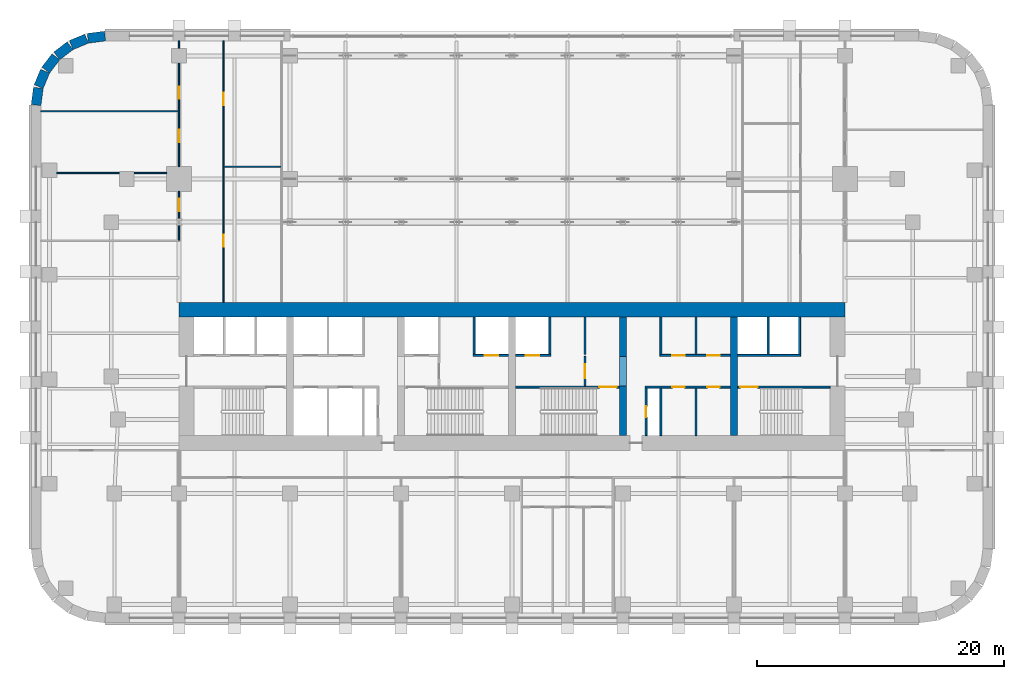
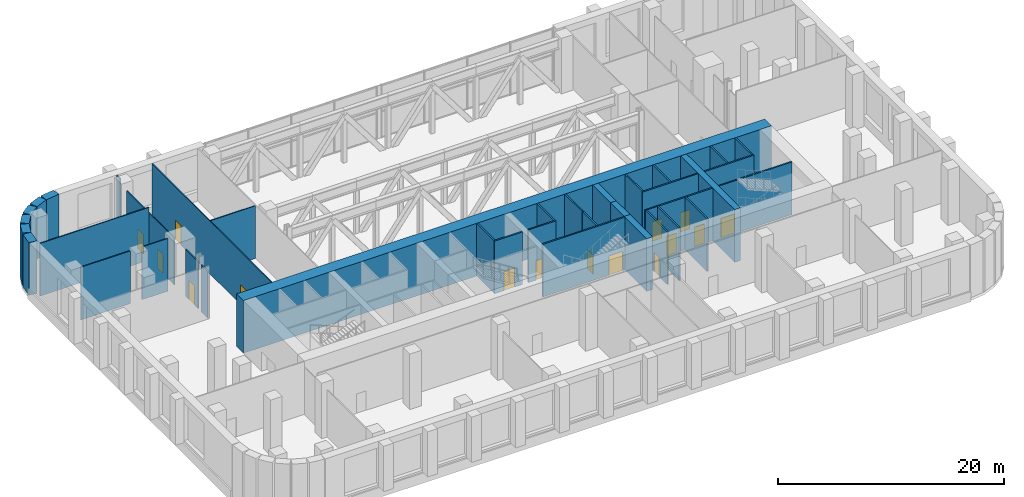
# One storey, part 7 of 13: 38 walls, 15 doors, 15 openings.
"""IFC4 building model written with IfcOpenShell, lengths in metres."""

from ifc_helpers import new_model, si_unit, direction, frame, frame_2d, origin, place, context, subcontext, project, spatial, rectangle, extrude, material, layer, layer_set, type_object, element, fill, save


model = new_model("IFC4")

# Units and contexts
model_context = context("Model", 3, precision=1e-05, world=origin(), true_north=direction((0.0, 1.0)))
body_context = subcontext(model_context, "Body", "Model", "MODEL_VIEW")
ifc_project = project(units=[si_unit("LENGTHUNIT", "METRE"), si_unit("AREAUNIT", "SQUARE_METRE"), si_unit("VOLUMEUNIT", "CUBIC_METRE"), si_unit("PLANEANGLEUNIT", "RADIAN"), si_unit("MASSUNIT", "GRAM", prefix="KILO")], contexts=[model_context])

# Site, building, storey
site_placement = place(None, origin())
site = spatial("IfcSite", under=ifc_project, at=site_placement, CompositionType="ELEMENT")
building_placement = place(site_placement, origin())
building = spatial("IfcBuilding", under=site, at=building_placement, Name="Zellij Exchange Tower", CompositionType="ELEMENT")
storey_placement = place(building_placement, frame((0.0, 0.0, 27.0)))
storey = spatial("IfcBuildingStorey", under=building, at=storey_placement, Name="L04", CompositionType="ELEMENT", Elevation=27.0)

# Walls
ifc_material_1 = material(Name="Concrete C70/85", Category="concrete")
ifc_layer_1 = layer(ifc_material_1, 0.60009765625)
ifc_layer_set_1 = layer_set([ifc_layer_1], Name="Concrete C70/85")
wall_type_1 = type_object("IfcWallType", Name="CORE-CW 600 C70/85", PredefinedType="SHEAR", material=ifc_layer_set_1)
wall_1_placement = place(storey_placement, frame((9.0, -12.800048828125, 0.0), z_axis=(0.0, 0.0, 1.0), x_axis=(0.0, 1.0, 0.0)))
element("IfcWall", 1, at=wall_1_placement, inside=storey, type_object=wall_type_1, Name="Core cross wall pier x 9 a L04", PredefinedType="SHEAR", context=body_context, shape_type="SweptSolid", body=[
    extrude(rectangle(XDim=4.0, YDim=0.60009765625, at=frame_2d((2.0, 0.0))), origin(), (0.0, 0.0, 1.0), 5.699951171875),
])
wall_2_placement = place(storey_placement, frame((9.0, -6.375, 0.0), z_axis=(0.0, 0.0, 1.0), x_axis=(0.0, 1.0, 0.0)))
element("IfcWall", 2, at=wall_2_placement, inside=storey, type_object=wall_type_1, Name="Core cross wall pier x 9 b L04", PredefinedType="SHEAR", context=body_context, shape_type="SweptSolid", body=[
    extrude(rectangle(XDim=3.175048828125, YDim=0.60009765625, at=frame_2d((1.58740234375, 0.0))), origin(), (0.0, 0.0, 1.0), 5.699951171875),
])
wall_3_placement = place(storey_placement, frame((9.0, -8.800048828125, 3.60009765625), z_axis=(0.0, 0.0, 1.0), x_axis=(0.0, 1.0, 0.0)))
element("IfcWall", 3, at=wall_3_placement, inside=storey, type_object=wall_type_1, Name="Core cross wall over opening x 9 L04", PredefinedType="SHEAR", context=body_context, shape_type="SweptSolid", body=[
    extrude(rectangle(XDim=2.425048828125, YDim=0.60009765625, at=frame_2d((1.21240234375, 0.0))), origin(), (0.0, 0.0, 1.0), 2.099853515625),
])
wall_4_placement = place(storey_placement, frame((18.0, -12.800048828125, 0.0), z_axis=(0.0, 0.0, 1.0), x_axis=(0.0, 1.0, 0.0)))
element("IfcWall", 4, at=wall_4_placement, inside=storey, type_object=wall_type_1, Name="Core cross wall x 18 L04", PredefinedType="SHEAR", context=body_context, shape_type="SweptSolid", body=[
    extrude(rectangle(XDim=9.60009765625, YDim=0.60009765625, at=frame_2d((4.800048828125, 0.0))), origin(), (0.0, 0.0, 1.0), 5.699951171875),
])

# Wall, opening, door
ifc_material_2 = material(Name="Gypsum shaft wall system")
ifc_layer_2 = layer(ifc_material_2, 0.14990234375)
ifc_layer_set_2 = layer_set([ifc_layer_2], Name="Gypsum shaft wall system")
wall_type_2 = type_object("IfcWallType", Name="CORE-PW 150 Firefighting lobby wall", PredefinedType="PARTITIONING", material=ifc_layer_set_2)
wall_5_placement = place(storey_placement, frame((5.925048828125, -8.800048828125, 0.0), z_axis=(0.0, 0.0, 1.0), x_axis=(0.0, 1.0, 0.0)))
wall_5 = element("IfcWall", 5, at=wall_5_placement, inside=storey, type_object=wall_type_2, Name="Firefighting lobby wall L04", PredefinedType="PARTITIONING", context=body_context, shape_type="SweptSolid", body=[
    extrude(rectangle(XDim=2.425048828125, YDim=0.14990234375, at=frame_2d((1.21240234375, 0.0))), origin(), (0.0, 0.0, 1.0), 5.699951171875),
])
opening_1_placement = place(wall_5_placement, frame((0.662109375, 0.0, 0.0)))
opening_1 = element("IfcOpeningElement", 6, at=opening_1_placement, cuts=wall_5, Name="Opening CA-05.17", PredefinedType="OPENING", context=body_context, shape_type="SweptSolid", body=[
    extrude(rectangle(XDim=1.10009765625, YDim=2.10009765625, at=frame_2d((0.550048828125, 1.050048828125))), frame((0.0, 0.0869140625, 0.0), z_axis=(0.0, -1.0, 0.0), x_axis=(1.0, 0.0, 0.0)), (0.0, 0.0, 1.0), 0.173828125),
])
ifc_material_3 = material(Name="Hollow metal fire door")
door_type_1 = type_object("IfcDoorType", Name="CORE-D F Firefighting lobby door 1100x2100 1 HR", OperationType="NOTDEFINED", PredefinedType="DOOR", material=ifc_material_3)
door_1_placement = place(opening_1_placement, origin())
door_1 = element("IfcDoor", 7, at=door_1_placement, inside=storey, type_object=door_type_1, Name="Firefighting lobby door CA-05.17", OperationType="SINGLE_SWING_RIGHT", OverallHeight=2.10009765625, OverallWidth=1.10009765625, PredefinedType="DOOR", context=body_context, shape_type="SweptSolid", body=[
    extrude(rectangle(XDim=1.10009765625, YDim=2.10009765625, at=frame_2d((0.550048828125, 1.050048828125))), frame((0.0, 0.02490234375, 0.0), z_axis=(0.0, -1.0, 0.0), x_axis=(1.0, 0.0, 0.0)), (0.0, 0.0, 1.0), 0.050048828125),
])
fill(opening_1, door_1)

# Walls
ifc_material_4 = material(Name="Gypsum board partition")
ifc_layer_3 = layer(ifc_material_4, 0.14990234375)
ifc_layer_set_3 = layer_set([ifc_layer_3], Name="Gypsum board partition")
wall_type_3 = type_object("IfcWallType", Name="CORE-PW 150 Lift lobby wall", PredefinedType="PARTITIONING", material=ifc_layer_set_3)
for number, where, z_axis, x_axis, name in (
    (8, (5.925048828125, -6.22509765625, 0.0), (0.0, 0.0, 1.0), (0.0, 1.0, 0.0), "Lift lobby wall L04"),
    (9, (12.074951171875, -6.22509765625, 0.0), (0.0, 0.0, 1.0), (0.0, 1.0, 0.0), "Lift lobby wall L04"),
    (10, (14.925048828125, -6.22509765625, 0.0), (0.0, 0.0, 1.0), (0.0, 1.0, 0.0), "Lift lobby wall L04"),
):
    element("IfcWall", number, at=place(storey_placement, frame(where, z_axis=z_axis, x_axis=x_axis)), inside=storey, type_object=wall_type_3, Name=name, PredefinedType="PARTITIONING", context=body_context, shape_type="SweptSolid", body=[
        extrude(rectangle(XDim=3.025146484375, YDim=0.14990234375, at=frame_2d((1.5126953125, 0.0))), origin(), (0.0, 0.0, 1.0), 5.699951171875),
    ])

# Wall, opening, door
wall_6_placement = place(storey_placement, frame((10.875, -12.800048828125, 0.0), z_axis=(0.0, 0.0, 1.0), x_axis=(0.0, 1.0, 0.0)))
wall_6 = element("IfcWall", 11, at=wall_6_placement, inside=storey, type_object=wall_type_3, Name="Lift lobby wall L04", PredefinedType="PARTITIONING", context=body_context, shape_type="SweptSolid", body=[
    extrude(rectangle(XDim=3.85009765625, YDim=0.14990234375, at=frame_2d((1.925048828125, 0.0))), origin(), (0.0, 0.0, 1.0), 5.699951171875),
])
opening_2_placement = place(wall_6_placement, frame((1.47509765625, 0.0, 0.0)))
opening_2 = element("IfcOpeningElement", 12, at=opening_2_placement, cuts=wall_6, Name="Opening CA-05.20", PredefinedType="OPENING", context=body_context, shape_type="SweptSolid", body=[
    extrude(rectangle(XDim=0.89990234375, YDim=2.10009765625, at=frame_2d((0.449951171875, 1.050048828125))), frame((0.0, 0.0869140625, 0.0), z_axis=(0.0, -1.0, 0.0), x_axis=(1.0, 0.0, 0.0)), (0.0, 0.0, 1.0), 0.173828125),
])
door_type_2 = type_object("IfcDoorType", Name="CORE-D RD Riser door 900x2100 1.5 HR", OperationType="NOTDEFINED", PredefinedType="DOOR", material=ifc_material_3)
door_2_placement = place(opening_2_placement, origin())
door_2 = element("IfcDoor", 13, at=door_2_placement, inside=storey, type_object=door_type_2, Name="Riser door CA-05.20", OperationType="SINGLE_SWING_LEFT", OverallHeight=2.10009765625, OverallWidth=0.89990234375, PredefinedType="DOOR", context=body_context, shape_type="SweptSolid", body=[
    extrude(rectangle(XDim=0.89990234375, YDim=2.10009765625, at=frame_2d((0.449951171875, 1.050048828125))), frame((0.0, 0.02490234375, 0.0), z_axis=(0.0, -1.0, 0.0), x_axis=(1.0, 0.0, 0.0)), (0.0, 0.0, 1.0), 0.050048828125),
])
fill(opening_2, door_2)

# Walls
for number, where, z_axis, x_axis, name in (
    (14, (12.074951171875, -12.800048828125, 0.0), (0.0, 0.0, 1.0), (0.0, 1.0, 0.0), "Lift lobby wall L04"),
    (15, (14.925048828125, -12.800048828125, 0.0), (0.0, 0.0, 1.0), (0.0, 1.0, 0.0), "Lift lobby wall L04"),
):
    element("IfcWall", number, at=place(storey_placement, frame(where, z_axis=z_axis, x_axis=x_axis)), inside=storey, type_object=wall_type_3, Name=name, PredefinedType="PARTITIONING", context=body_context, shape_type="SweptSolid", body=[
        extrude(rectangle(XDim=3.85009765625, YDim=0.14990234375, at=frame_2d((1.925048828125, 0.0))), origin(), (0.0, 0.0, 1.0), 5.699951171875),
    ])

# Wall, openings, doors
wall_7_placement = place(storey_placement, frame((12.0, -6.300048828125, 0.0), z_axis=(0.0, 0.0, 1.0), x_axis=(1.0, 0.0, 0.0)))
wall_7 = element("IfcWall", 16, at=wall_7_placement, inside=storey, type_object=wall_type_3, Name="Lift lobby wall L04", PredefinedType="PARTITIONING", context=body_context, shape_type="SweptSolid", body=[
    extrude(rectangle(XDim=5.699951171875, YDim=0.14990234375, at=frame_2d((2.85009765625, 0.0))), origin(), (0.0, 0.0, 1.0), 5.699951171875),
])
opening_3_placement = place(wall_7_placement, frame((1.0, 0.0, 0.0)))
opening_3 = element("IfcOpeningElement", 17, at=opening_3_placement, cuts=wall_7, Name="Opening CA-05.22", PredefinedType="OPENING", context=body_context, shape_type="SweptSolid", body=[
    extrude(rectangle(XDim=1.0, YDim=2.10009765625, at=frame_2d((0.5, 1.050048828125))), frame((0.0, 0.0869140625, 0.0), z_axis=(0.0, -1.0, 0.0), x_axis=(1.0, 0.0, 0.0)), (0.0, 0.0, 1.0), 0.173828125),
])
opening_4_placement = place(wall_7_placement, frame((3.85009765625, 0.0, 0.0)))
opening_4 = element("IfcOpeningElement", 18, at=opening_4_placement, cuts=wall_7, Name="Opening CA-05.24", PredefinedType="OPENING", context=body_context, shape_type="SweptSolid", body=[
    extrude(rectangle(XDim=1.0, YDim=2.10009765625, at=frame_2d((0.5, 1.050048828125))), frame((0.0, 0.0869140625, 0.0), z_axis=(0.0, -1.0, 0.0), x_axis=(1.0, 0.0, 0.0)), (0.0, 0.0, 1.0), 0.173828125),
])
door_type_3 = type_object("IfcDoorType", Name="CORE-D CD Core room door 1000x2100 1 HR", OperationType="NOTDEFINED", PredefinedType="DOOR", material=ifc_material_3)
door_3_placement = place(opening_3_placement, origin())
door_3 = element("IfcDoor", 19, at=door_3_placement, inside=storey, type_object=door_type_3, Name="Core room door CA-05.22", OperationType="SINGLE_SWING_LEFT", OverallHeight=2.10009765625, OverallWidth=1.0, PredefinedType="DOOR", context=body_context, shape_type="SweptSolid", body=[
    extrude(rectangle(XDim=1.0, YDim=2.10009765625, at=frame_2d((0.5, 1.050048828125))), frame((0.0, 0.02490234375, 0.0), z_axis=(0.0, -1.0, 0.0), x_axis=(1.0, 0.0, 0.0)), (0.0, 0.0, 1.0), 0.050048828125),
])
fill(opening_3, door_3)
door_4_placement = place(opening_4_placement, origin())
door_4 = element("IfcDoor", 20, at=door_4_placement, inside=storey, type_object=door_type_3, Name="Core room door CA-05.24", OperationType="SINGLE_SWING_RIGHT", OverallHeight=2.10009765625, OverallWidth=1.0, PredefinedType="DOOR", context=body_context, shape_type="SweptSolid", body=[
    extrude(rectangle(XDim=1.0, YDim=2.10009765625, at=frame_2d((0.5, 1.050048828125))), frame((0.0, 0.02490234375, 0.0), z_axis=(0.0, -1.0, 0.0), x_axis=(1.0, 0.0, 0.0)), (0.0, 0.0, 1.0), 0.050048828125),
])
fill(opening_4, door_4)

wall_8_placement = place(storey_placement, frame((10.800048828125, -8.875, 0.0), z_axis=(0.0, 0.0, 1.0), x_axis=(1.0, 0.0, 0.0)))
wall_8 = element("IfcWall", 21, at=wall_8_placement, inside=storey, type_object=wall_type_3, Name="Lift lobby wall L04", PredefinedType="PARTITIONING", context=body_context, shape_type="SweptSolid", body=[
    extrude(rectangle(XDim=6.89990234375, YDim=0.14990234375, at=frame_2d((3.449951171875, 0.0))), origin(), (0.0, 0.0, 1.0), 5.699951171875),
])
opening_5_placement = place(wall_8_placement, frame((2.199951171875, 0.0, 0.0)))
opening_5 = element("IfcOpeningElement", 22, at=opening_5_placement, cuts=wall_8, Name="Opening CA-05.21", PredefinedType="OPENING", context=body_context, shape_type="SweptSolid", body=[
    extrude(rectangle(XDim=1.0, YDim=2.10009765625, at=frame_2d((0.5, 1.050048828125))), frame((0.0, 0.0869140625, 0.0), z_axis=(0.0, -1.0, 0.0), x_axis=(1.0, 0.0, 0.0)), (0.0, 0.0, 1.0), 0.173828125),
])
opening_6_placement = place(wall_8_placement, frame((5.050048828125, 0.0, 0.0)))
opening_6 = element("IfcOpeningElement", 23, at=opening_6_placement, cuts=wall_8, Name="Opening CA-05.23", PredefinedType="OPENING", context=body_context, shape_type="SweptSolid", body=[
    extrude(rectangle(XDim=1.0, YDim=2.10009765625, at=frame_2d((0.5, 1.050048828125))), frame((0.0, 0.0869140625, 0.0), z_axis=(0.0, -1.0, 0.0), x_axis=(1.0, 0.0, 0.0)), (0.0, 0.0, 1.0), 0.173828125),
])
door_5_placement = place(opening_5_placement, origin())
door_5 = element("IfcDoor", 24, at=door_5_placement, inside=storey, type_object=door_type_3, Name="Core room door CA-05.21", OperationType="SINGLE_SWING_RIGHT", OverallHeight=2.10009765625, OverallWidth=1.0, PredefinedType="DOOR", context=body_context, shape_type="SweptSolid", body=[
    extrude(rectangle(XDim=1.0, YDim=2.10009765625, at=frame_2d((0.5, 1.050048828125))), frame((0.0, 0.02490234375, 0.0), z_axis=(0.0, -1.0, 0.0), x_axis=(1.0, 0.0, 0.0)), (0.0, 0.0, 1.0), 0.050048828125),
])
fill(opening_5, door_5)
door_6_placement = place(opening_6_placement, origin())
door_6 = element("IfcDoor", 25, at=door_6_placement, inside=storey, type_object=door_type_3, Name="Core room door CA-05.23", OperationType="SINGLE_SWING_LEFT", OverallHeight=2.10009765625, OverallWidth=1.0, PredefinedType="DOOR", context=body_context, shape_type="SweptSolid", body=[
    extrude(rectangle(XDim=1.0, YDim=2.10009765625, at=frame_2d((0.5, 1.050048828125))), frame((0.0, 0.02490234375, 0.0), z_axis=(0.0, -1.0, 0.0), x_axis=(1.0, 0.0, 0.0)), (0.0, 0.0, 1.0), 0.050048828125),
])
fill(opening_6, door_6)

# Walls
ifc_layer_4 = layer(ifc_material_2, 0.14990234375)
ifc_layer_set_4 = layer_set([ifc_layer_4], Name="Gypsum shaft wall system")
wall_type_4 = type_object("IfcWallType", Name="CORE-PW 150 Lift shaft wall", PredefinedType="PARTITIONING", material=ifc_layer_set_4)
for number, where, z_axis, x_axis, name in (
    (26, (-3.074951171875, -6.22509765625, 0.0), (0.0, 0.0, 1.0), (0.0, 1.0, 0.0), "Lift shaft wall L04"),
    (27, (3.074951171875, -6.22509765625, 0.0), (0.0, 0.0, 1.0), (0.0, 1.0, 0.0), "Lift shaft wall L04"),
    (28, (20.77490234375, -6.22509765625, 0.0), (0.0, 0.0, 1.0), (0.0, 1.0, 0.0), "Lift shaft wall L04"),
    (29, (23.324951171875, -6.22509765625, 0.0), (0.0, 0.0, 1.0), (0.0, 1.0, 0.0), "Lift shaft wall L04"),
):
    element("IfcWall", number, at=place(storey_placement, frame(where, z_axis=z_axis, x_axis=x_axis)), inside=storey, type_object=wall_type_4, Name=name, PredefinedType="PARTITIONING", context=body_context, shape_type="SweptSolid", body=[
        extrude(rectangle(XDim=3.025146484375, YDim=0.14990234375, at=frame_2d((1.5126953125, 0.0))), origin(), (0.0, 0.0, 1.0), 5.699951171875),
    ])

# Wall, opening, door
wall_9_placement = place(storey_placement, frame((-3.14990234375, -6.300048828125, 0.0), z_axis=(0.0, 0.0, 1.0), x_axis=(1.0, 0.0, 0.0)))
wall_9 = element("IfcWall", 30, at=wall_9_placement, inside=storey, type_object=wall_type_4, Name="Lift shaft wall L04", PredefinedType="PARTITIONING", context=body_context, shape_type="SweptSolid", body=[
    extrude(rectangle(XDim=2.849853515625, YDim=0.14990234375, at=frame_2d((1.4248046875, 0.0))), origin(), (0.0, 0.0, 1.0), 5.699951171875),
])
opening_7_placement = place(wall_9_placement, frame((0.949951171875, 0.0, 0.0)))
opening_7 = element("IfcOpeningElement", 31, at=opening_7_placement, cuts=wall_9, Name="Opening CA-05.15", PredefinedType="OPENING", context=body_context, shape_type="SweptSolid", body=[
    extrude(rectangle(XDim=1.10009765625, YDim=2.10009765625, at=frame_2d((0.550048828125, 1.050048828125))), frame((0.0, 0.0869140625, 0.0), z_axis=(0.0, -1.0, 0.0), x_axis=(1.0, 0.0, 0.0)), (0.0, 0.0, 1.0), 0.173828125),
])
door_type_4 = type_object("IfcDoorType", Name="CORE-D LD Lift landing door 1100x2100 1.5 HR", OperationType="NOTDEFINED", PredefinedType="DOOR", material=ifc_material_3)
door_7_placement = place(opening_7_placement, origin())
door_7 = element("IfcDoor", 32, at=door_7_placement, inside=storey, type_object=door_type_4, Name="Lift landing door CA-05.15", OperationType="SLIDING_TO_LEFT", OverallHeight=2.10009765625, OverallWidth=1.10009765625, PredefinedType="DOOR", context=body_context, shape_type="SweptSolid", body=[
    extrude(rectangle(XDim=1.10009765625, YDim=2.10009765625, at=frame_2d((0.550048828125, 1.050048828125))), frame((0.0, 0.02490234375, 0.0), z_axis=(0.0, -1.0, 0.0), x_axis=(1.0, 0.0, 0.0)), (0.0, 0.0, 1.0), 0.050048828125),
])
fill(opening_7, door_7)

wall_10_placement = place(storey_placement, frame((0.300048828125, -6.300048828125, 0.0), z_axis=(0.0, 0.0, 1.0), x_axis=(1.0, 0.0, 0.0)))
wall_10 = element("IfcWall", 33, at=wall_10_placement, inside=storey, type_object=wall_type_4, Name="Lift shaft wall L04", PredefinedType="PARTITIONING", context=body_context, shape_type="SweptSolid", body=[
    extrude(rectangle(XDim=2.849853515625, YDim=0.14990234375, at=frame_2d((1.4248046875, 0.0))), origin(), (0.0, 0.0, 1.0), 5.699951171875),
])
opening_8_placement = place(wall_10_placement, frame((0.800048828125, 0.0, 0.0)))
opening_8 = element("IfcOpeningElement", 34, at=opening_8_placement, cuts=wall_10, Name="Opening CA-05.16", PredefinedType="OPENING", context=body_context, shape_type="SweptSolid", body=[
    extrude(rectangle(XDim=1.10009765625, YDim=2.10009765625, at=frame_2d((0.550048828125, 1.050048828125))), frame((0.0, 0.0869140625, 0.0), z_axis=(0.0, -1.0, 0.0), x_axis=(1.0, 0.0, 0.0)), (0.0, 0.0, 1.0), 0.173828125),
])
door_8_placement = place(opening_8_placement, origin())
door_8 = element("IfcDoor", 35, at=door_8_placement, inside=storey, type_object=door_type_4, Name="Lift landing door CA-05.16", OperationType="SLIDING_TO_RIGHT", OverallHeight=2.10009765625, OverallWidth=1.10009765625, PredefinedType="DOOR", context=body_context, shape_type="SweptSolid", body=[
    extrude(rectangle(XDim=1.10009765625, YDim=2.10009765625, at=frame_2d((0.550048828125, 1.050048828125))), frame((0.0, 0.02490234375, 0.0), z_axis=(0.0, -1.0, 0.0), x_axis=(1.0, 0.0, 0.0)), (0.0, 0.0, 1.0), 0.050048828125),
])
fill(opening_8, door_8)

# Walls
wall_11_placement = place(storey_placement, frame((18.300048828125, -6.300048828125, 0.0), z_axis=(0.0, 0.0, 1.0), x_axis=(1.0, 0.0, 0.0)))
element("IfcWall", 36, at=wall_11_placement, inside=storey, type_object=wall_type_4, Name="Lift shaft wall L04", PredefinedType="PARTITIONING", context=body_context, shape_type="SweptSolid", body=[
    extrude(rectangle(XDim=5.099853515625, YDim=0.14990234375, at=frame_2d((2.5498046875, 0.0))), origin(), (0.0, 0.0, 1.0), 5.699951171875),
])
ifc_layer_5 = layer(ifc_material_1, 1.199951171875)
ifc_layer_set_5 = layer_set([ifc_layer_5], Name="Concrete C70/85")
wall_type_5 = type_object("IfcWallType", Name="CORE-SW 1200 C70/85", PredefinedType="SHEAR", material=ifc_layer_set_5)
wall_12_placement = place(storey_placement, frame((-27.0, -2.60009765625, 0.0), z_axis=(0.0, 0.0, 1.0), x_axis=(1.0, 0.0, 0.0)))
element("IfcWall", 37, at=wall_12_placement, inside=storey, type_object=wall_type_5, Name="Core shear wall front L04", PredefinedType="SHEAR", context=body_context, shape_type="SweptSolid", body=[
    extrude(rectangle(XDim=54.0, YDim=1.199951171875, at=frame_2d((27.0, 0.0))), origin(), (0.0, 0.0, 1.0), 5.699951171875),
])

# Wall, opening, door
ifc_layer_6 = layer(ifc_material_1, 0.14990234375)
ifc_layer_set_6 = layer_set([ifc_layer_6], Name="Concrete C70/85")
wall_type_6 = type_object("IfcWallType", Name="CORE-SWS 150 C70/85", PredefinedType="SHEAR", material=ifc_layer_set_6)
wall_13_placement = place(storey_placement, frame((0.300048828125, -8.875, 0.0), z_axis=(0.0, 0.0, 1.0), x_axis=(1.0, 0.0, 0.0)))
wall_13 = element("IfcWall", 38, at=wall_13_placement, inside=storey, type_object=wall_type_6, Name="Stair enclosure wall L04", PredefinedType="SHEAR", context=body_context, shape_type="SweptSolid", body=[
    extrude(rectangle(XDim=8.39990234375, YDim=0.14990234375, at=frame_2d((4.199951171875, 0.0))), origin(), (0.0, 0.0, 1.0), 5.699951171875),
])
opening_9_placement = place(wall_13_placement, frame((6.77490234375, 0.0, 0.0)))
opening_9 = element("IfcOpeningElement", 39, at=opening_9_placement, cuts=wall_13, Name="Opening CA-05.18", PredefinedType="OPENING", context=body_context, shape_type="SweptSolid", body=[
    extrude(rectangle(XDim=1.39990234375, YDim=2.10009765625, at=frame_2d((0.699951171875, 1.050048828125))), frame((0.0, 0.0869140625, 0.0), z_axis=(0.0, -1.0, 0.0), x_axis=(1.0, 0.0, 0.0)), (0.0, 0.0, 1.0), 0.173828125),
])
door_type_5 = type_object("IfcDoorType", Name="CORE-D SD Stair door 1400x2100 1.5 HR", OperationType="NOTDEFINED", PredefinedType="DOOR", material=ifc_material_3)
door_9_placement = place(opening_9_placement, origin())
door_9 = element("IfcDoor", 40, at=door_9_placement, inside=storey, type_object=door_type_5, Name="Stair door CA-05.18", OperationType="DOUBLE_DOOR_SINGLE_SWING", OverallHeight=2.10009765625, OverallWidth=1.39990234375, PredefinedType="DOOR", context=body_context, shape_type="SweptSolid", body=[
    extrude(rectangle(XDim=1.39990234375, YDim=2.10009765625, at=frame_2d((0.699951171875, 1.050048828125))), frame((0.0, 0.02490234375, 0.0), z_axis=(0.0, -1.0, 0.0), x_axis=(1.0, 0.0, 0.0)), (0.0, 0.0, 1.0), 0.050048828125),
])
fill(opening_9, door_9)

wall_14_placement = place(storey_placement, frame((18.300048828125, -8.875, 0.0), z_axis=(0.0, 0.0, 1.0), x_axis=(1.0, 0.0, 0.0)))
wall_14 = element("IfcWall", 41, at=wall_14_placement, inside=storey, type_object=wall_type_6, Name="Stair enclosure wall L04", PredefinedType="SHEAR", context=body_context, shape_type="SweptSolid", body=[
    extrude(rectangle(XDim=7.5, YDim=0.14990234375, at=frame_2d((3.75, 0.0))), origin(), (0.0, 0.0, 1.0), 5.699951171875),
])
opening_10_placement = place(wall_14_placement, frame((0.22509765625, 0.0, 0.0)))
opening_10 = element("IfcOpeningElement", 42, at=opening_10_placement, cuts=wall_14, Name="Opening CA-05.25", PredefinedType="OPENING", context=body_context, shape_type="SweptSolid", body=[
    extrude(rectangle(XDim=1.39990234375, YDim=2.10009765625, at=frame_2d((0.699951171875, 1.050048828125))), frame((0.0, 0.0869140625, 0.0), z_axis=(0.0, -1.0, 0.0), x_axis=(1.0, 0.0, 0.0)), (0.0, 0.0, 1.0), 0.173828125),
])
door_10_placement = place(opening_10_placement, origin())
door_10 = element("IfcDoor", 43, at=door_10_placement, inside=storey, type_object=door_type_5, Name="Stair door CA-05.25", OperationType="DOUBLE_DOOR_SINGLE_SWING", OverallHeight=2.10009765625, OverallWidth=1.39990234375, PredefinedType="DOOR", context=body_context, shape_type="SweptSolid", body=[
    extrude(rectangle(XDim=1.39990234375, YDim=2.10009765625, at=frame_2d((0.699951171875, 1.050048828125))), frame((0.0, 0.02490234375, 0.0), z_axis=(0.0, -1.0, 0.0), x_axis=(1.0, 0.0, 0.0)), (0.0, 0.0, 1.0), 0.050048828125),
])
fill(opening_10, door_10)

# Walls
ifc_material_5 = material(Name="Precast concrete C40/50", Category="concrete")
ifc_layer_7 = layer(ifc_material_5, 0.800048828125)
ifc_layer_set_7 = layer_set([ifc_layer_7], Name="Precast concrete C40/50")
wall_type_7 = type_object("IfcWallType", Name="ENV-EW1 Precast stone-piered wall 800", PredefinedType="SOLIDWALL", material=ifc_layer_set_7)
wall_15_placement = place(storey_placement, frame((-32.999755859375, 19.5966796875, 0.0), z_axis=(0.0, 0.0, 1.0), x_axis=(-0.99144603414, -0.130517283865, 0.0)))
element("IfcWall", 44, at=wall_15_placement, inside=storey, type_object=wall_type_7, Name="fac.L04.15", PredefinedType="SOLIDWALL", context=body_context, shape_type="SweptSolid", body=[
    extrude(rectangle(XDim=1.408447265625, YDim=0.800048828125, at=frame_2d((0.7041015625, 0.0))), origin(), (0.0, 0.0, 1.0), 5.699951171875),
])
wall_16_placement = place(storey_placement, frame((-34.497314453125, 19.3857421875, 0.0), z_axis=(0.0, 0.0, 1.0), x_axis=(-0.923847774587, -0.38276009378, 0.0)))
element("IfcWall", 45, at=wall_16_placement, inside=storey, type_object=wall_type_7, Name="fac.L04.16", PredefinedType="SOLIDWALL", context=body_context, shape_type="SweptSolid", body=[
    extrude(rectangle(XDim=1.35546875, YDim=0.800048828125, at=frame_2d((0.677734375, 0.0))), origin(), (0.0, 0.0, 1.0), 5.699951171875),
])
for number, where, z_axis, x_axis, name in (
    (46, (-35.840087890625, 18.814697265625, 0.0), (0.0, 0.0, 1.0), (-0.793272915452, -0.608866226366, 0.0), "fac.L04.17"),
    (47, (-36.9892578125, 17.91552734375, 0.0), (0.0, 0.0, 1.0), (-0.608866226366, -0.793272915452, 0.0), "fac.L04.18"),
):
    element("IfcWall", number, at=place(storey_placement, frame(where, z_axis=z_axis, x_axis=x_axis)), inside=storey, type_object=wall_type_7, Name=name, PredefinedType="SOLIDWALL", context=body_context, shape_type="SweptSolid", body=[
        extrude(rectangle(XDim=1.355712890625, YDim=0.800048828125, at=frame_2d((0.677734375, 0.0))), origin(), (0.0, 0.0, 1.0), 5.699951171875),
    ])
wall_17_placement = place(storey_placement, frame((-37.866943359375, 16.74951171875, 0.0), z_axis=(0.0, 0.0, 1.0), x_axis=(-0.38276009378, -0.923847774587, 0.0)))
element("IfcWall", 48, at=wall_17_placement, inside=storey, type_object=wall_type_7, Name="fac.L04.19", PredefinedType="SOLIDWALL", context=body_context, shape_type="SweptSolid", body=[
    extrude(rectangle(XDim=1.35546875, YDim=0.800048828125, at=frame_2d((0.677734375, 0.0))), origin(), (0.0, 0.0, 1.0), 5.699951171875),
])
wall_18_placement = place(storey_placement, frame((-38.412841796875, 15.396240234375, 0.0), z_axis=(0.0, 0.0, 1.0), x_axis=(-0.130517283865, -0.99144603414, 0.0)))
element("IfcWall", 49, at=wall_18_placement, inside=storey, type_object=wall_type_7, Name="fac.L04.20", PredefinedType="SOLIDWALL", context=body_context, shape_type="SweptSolid", body=[
    extrude(rectangle(XDim=1.408447265625, YDim=0.800048828125, at=frame_2d((0.7041015625, 0.0))), origin(), (0.0, 0.0, 1.0), 5.699951171875),
])

# Wall, openings, doors
ifc_material_6 = material(Name="Gypsum board partition on steel studs", Category="steel")
ifc_layer_8 = layer(ifc_material_6, 0.10009765625)
ifc_layer_set_8 = layer_set([ifc_layer_8], Name="Gypsum board partition on steel studs")
wall_type_8 = type_object("IfcWallType", Name="FIT-PARTITION-100", PredefinedType="PARTITIONING", material=ifc_layer_set_8)
wall_19_placement = place(storey_placement, frame((-23.39990234375, -2.0, 0.0), z_axis=(0.0, 0.0, 1.0), x_axis=(0.0, 1.0, 0.0)))
wall_19 = element("IfcWall", 50, at=wall_19_placement, inside=storey, type_object=wall_type_8, Name="FIT-PARTITION-100 019", PredefinedType="PARTITIONING", context=body_context, shape_type="SweptSolid", body=[
    extrude(rectangle(XDim=21.199951171875, YDim=0.10009765625, at=frame_2d((10.60009765625, 0.0))), origin(), (0.0, 0.0, 1.0), 5.699951171875),
])
opening_11_placement = place(wall_19_placement, frame((4.5, 0.0, 0.0)))
opening_11 = element("IfcOpeningElement", 51, at=opening_11_placement, cuts=wall_19, Name="Opening P4.12", PredefinedType="OPENING", context=body_context, shape_type="SweptSolid", body=[
    extrude(rectangle(XDim=1.0, YDim=2.10009765625, at=frame_2d((0.5, 1.050048828125))), frame((0.0, 0.06201171875, 0.0), z_axis=(0.0, -1.0, 0.0), x_axis=(1.0, 0.0, 0.0)), (0.0, 0.0, 1.0), 0.1240234375),
])
opening_12_placement = place(wall_19_placement, frame((16.0, 0.0, 0.0)))
opening_12 = element("IfcOpeningElement", 52, at=opening_12_placement, cuts=wall_19, Name="Opening P4.18", PredefinedType="OPENING", context=body_context, shape_type="SweptSolid", body=[
    extrude(rectangle(XDim=1.0, YDim=2.10009765625, at=frame_2d((0.5, 1.050048828125))), frame((0.0, 0.06201171875, 0.0), z_axis=(0.0, -1.0, 0.0), x_axis=(1.0, 0.0, 0.0)), (0.0, 0.0, 1.0), 0.1240234375),
])
ifc_material_7 = material(Name="Timber door set", Category="wood")
door_type_6 = type_object("IfcDoorType", Name="FIT-D2-WIDE-1000X2100", OperationType="SINGLE_SWING_LEFT", PredefinedType="DOOR", material=ifc_material_7)
door_11_placement = place(opening_11_placement, origin())
door_11 = element("IfcDoor", 53, at=door_11_placement, inside=storey, type_object=door_type_6, Name="Door P4.12", OperationType="SINGLE_SWING_RIGHT", OverallHeight=2.10009765625, OverallWidth=1.0, PredefinedType="DOOR", context=body_context, shape_type="SweptSolid", body=[
    extrude(rectangle(XDim=1.0, YDim=2.10009765625, at=frame_2d((0.5, 1.050048828125))), frame((0.0, 0.02490234375, 0.0), z_axis=(0.0, -1.0, 0.0), x_axis=(1.0, 0.0, 0.0)), (0.0, 0.0, 1.0), 0.050048828125),
])
fill(opening_11, door_11)
door_12_placement = place(opening_12_placement, origin())
door_12 = element("IfcDoor", 54, at=door_12_placement, inside=storey, type_object=door_type_6, Name="Door P4.18", OperationType="SINGLE_SWING_LEFT", OverallHeight=2.10009765625, OverallWidth=1.0, PredefinedType="DOOR", context=body_context, shape_type="SweptSolid", body=[
    extrude(rectangle(XDim=1.0, YDim=2.10009765625, at=frame_2d((0.5, 1.050048828125))), frame((0.0, 0.02490234375, 0.0), z_axis=(0.0, -1.0, 0.0), x_axis=(1.0, 0.0, 0.0)), (0.0, 0.0, 1.0), 0.050048828125),
])
fill(opening_12, door_12)

# Wall
wall_20_placement = place(storey_placement, frame((-27.0, 3.050048828125, 0.0), z_axis=(0.0, 0.0, 1.0), x_axis=(0.0, 1.0, 0.0)))
element("IfcWall", 55, at=wall_20_placement, inside=storey, type_object=wall_type_8, Name="FIT-PARTITION-100 024", PredefinedType="PARTITIONING", context=body_context, shape_type="SweptSolid", body=[
    extrude(rectangle(XDim=1.16552734375, YDim=0.10009765625, at=frame_2d((0.582763671875, 0.0))), origin(), (0.0, 0.0, 1.0), 5.087890625),
])

# Wall, opening, door
wall_21_placement = place(storey_placement, frame((-27.0, 4.784423828125, 0.0), z_axis=(0.0, 0.0, 1.0), x_axis=(0.0, 1.0, 0.0)))
wall_21 = element("IfcWall", 56, at=wall_21_placement, inside=storey, type_object=wall_type_8, Name="FIT-PARTITION-100 025", PredefinedType="PARTITIONING", context=body_context, shape_type="SweptSolid", body=[
    extrude(rectangle(XDim=2.215576171875, YDim=0.10009765625, at=frame_2d((1.10791015625, 0.0))), origin(), (0.0, 0.0, 1.0), 5.087890625),
])
opening_13_placement = place(wall_21_placement, frame((0.615478515625, 0.0, 0.0)))
opening_13 = element("IfcOpeningElement", 57, at=opening_13_placement, cuts=wall_21, Name="Opening P4.13", PredefinedType="OPENING", context=body_context, shape_type="SweptSolid", body=[
    extrude(rectangle(XDim=1.0, YDim=2.10009765625, at=frame_2d((0.5, 1.050048828125))), frame((0.0, 0.06201171875, 0.0), z_axis=(0.0, -1.0, 0.0), x_axis=(1.0, 0.0, 0.0)), (0.0, 0.0, 1.0), 0.1240234375),
])
door_13_placement = place(opening_13_placement, origin())
door_13 = element("IfcDoor", 58, at=door_13_placement, inside=storey, type_object=door_type_6, Name="Door P4.13", OperationType="SINGLE_SWING_RIGHT", OverallHeight=2.10009765625, OverallWidth=1.0, PredefinedType="DOOR", context=body_context, shape_type="SweptSolid", body=[
    extrude(rectangle(XDim=1.0, YDim=2.10009765625, at=frame_2d((0.5, 1.050048828125))), frame((0.0, 0.02490234375, 0.0), z_axis=(0.0, -1.0, 0.0), x_axis=(1.0, 0.0, 0.0)), (0.0, 0.0, 1.0), 0.050048828125),
])
fill(opening_13, door_13)

# Wall, openings, doors
wall_22_placement = place(storey_placement, frame((-27.0, 9.0, 0.0), z_axis=(0.0, 0.0, 1.0), x_axis=(0.0, 1.0, 0.0)))
wall_22 = element("IfcWall", 59, at=wall_22_placement, inside=storey, type_object=wall_type_8, Name="FIT-PARTITION-100 026", PredefinedType="PARTITIONING", context=body_context, shape_type="SweptSolid", body=[
    extrude(rectangle(XDim=8.39990234375, YDim=0.10009765625, at=frame_2d((4.199951171875, 0.0))), origin(), (0.0, 0.0, 1.0), 5.087890625),
])
opening_14_placement = place(wall_22_placement, frame((2.0, 0.0, 0.0)))
opening_14 = element("IfcOpeningElement", 60, at=opening_14_placement, cuts=wall_22, Name="Opening P4.16", PredefinedType="OPENING", context=body_context, shape_type="SweptSolid", body=[
    extrude(rectangle(XDim=1.0, YDim=2.10009765625, at=frame_2d((0.5, 1.050048828125))), frame((0.0, 0.06201171875, 0.0), z_axis=(0.0, -1.0, 0.0), x_axis=(1.0, 0.0, 0.0)), (0.0, 0.0, 1.0), 0.1240234375),
])
opening_15_placement = place(wall_22_placement, frame((5.5, 0.0, 0.0)))
opening_15 = element("IfcOpeningElement", 61, at=opening_15_placement, cuts=wall_22, Name="Opening P4.19", PredefinedType="OPENING", context=body_context, shape_type="SweptSolid", body=[
    extrude(rectangle(XDim=1.0, YDim=2.10009765625, at=frame_2d((0.5, 1.050048828125))), frame((0.0, 0.06201171875, 0.0), z_axis=(0.0, -1.0, 0.0), x_axis=(1.0, 0.0, 0.0)), (0.0, 0.0, 1.0), 0.1240234375),
])
door_14_placement = place(opening_14_placement, origin())
door_14 = element("IfcDoor", 62, at=door_14_placement, inside=storey, type_object=door_type_6, Name="Door P4.16", OperationType="SINGLE_SWING_RIGHT", OverallHeight=2.10009765625, OverallWidth=1.0, PredefinedType="DOOR", context=body_context, shape_type="SweptSolid", body=[
    extrude(rectangle(XDim=1.0, YDim=2.10009765625, at=frame_2d((0.5, 1.050048828125))), frame((0.0, 0.02490234375, 0.0), z_axis=(0.0, -1.0, 0.0), x_axis=(1.0, 0.0, 0.0)), (0.0, 0.0, 1.0), 0.050048828125),
])
fill(opening_14, door_14)
door_15_placement = place(opening_15_placement, origin())
door_15 = element("IfcDoor", 63, at=door_15_placement, inside=storey, type_object=door_type_6, Name="Door P4.19", OperationType="SINGLE_SWING_LEFT", OverallHeight=2.10009765625, OverallWidth=1.0, PredefinedType="DOOR", context=body_context, shape_type="SweptSolid", body=[
    extrude(rectangle(XDim=1.0, YDim=2.10009765625, at=frame_2d((0.5, 1.050048828125))), frame((0.0, 0.02490234375, 0.0), z_axis=(0.0, -1.0, 0.0), x_axis=(1.0, 0.0, 0.0)), (0.0, 0.0, 1.0), 0.050048828125),
])
fill(opening_15, door_15)

# Walls
wall_23_placement = place(storey_placement, frame((-27.0, 18.60009765625, 0.0), z_axis=(0.0, 0.0, 1.0), x_axis=(0.0, 1.0, 0.0)))
element("IfcWall", 64, at=wall_23_placement, inside=storey, type_object=wall_type_8, Name="FIT-PARTITION-100 027", PredefinedType="PARTITIONING", context=body_context, shape_type="SweptSolid", body=[
    extrude(rectangle(XDim=0.599853515625, YDim=0.10009765625, at=frame_2d((0.2998046875, 0.0))), origin(), (0.0, 0.0, 1.0), 5.699951171875),
])
wall_24_placement = place(storey_placement, frame((-36.89990234375, 8.5, 0.0), z_axis=(0.0, 0.0, 1.0), x_axis=(1.0, 0.0, 0.0)))
element("IfcWall", 65, at=wall_24_placement, inside=storey, type_object=wall_type_8, Name="FIT-PARTITION-100 034", PredefinedType="PARTITIONING", context=body_context, shape_type="SweptSolid", body=[
    extrude(rectangle(XDim=5.0498046875, YDim=0.10009765625, at=frame_2d((2.52490234375, 0.0))), origin(), (0.0, 0.0, 1.0), 5.699951171875),
])
wall_25_placement = place(storey_placement, frame((-30.64990234375, 8.5, 0.0), z_axis=(0.0, 0.0, 1.0), x_axis=(1.0, 0.0, 0.0)))
element("IfcWall", 66, at=wall_25_placement, inside=storey, type_object=wall_type_8, Name="FIT-PARTITION-100 035", PredefinedType="PARTITIONING", context=body_context, shape_type="SweptSolid", body=[
    extrude(rectangle(XDim=2.64990234375, YDim=0.10009765625, at=frame_2d((1.324951171875, 0.0))), origin(), (0.0, 0.0, 1.0), 5.699951171875),
])
wall_26_placement = place(storey_placement, frame((-23.35009765625, 9.0, 0.0), z_axis=(0.0, 0.0, 1.0), x_axis=(1.0, 0.0, 0.0)))
element("IfcWall", 67, at=wall_26_placement, inside=storey, type_object=wall_type_8, Name="FIT-PARTITION-100 036", PredefinedType="PARTITIONING", context=body_context, shape_type="SweptSolid", body=[
    extrude(rectangle(XDim=4.60009765625, YDim=0.10009765625, at=frame_2d((2.300048828125, 0.0))), origin(), (0.0, 0.0, 1.0), 5.699951171875),
])
wall_27_placement = place(storey_placement, frame((-38.199951171875, 13.5, 0.0), z_axis=(0.0, 0.0, 1.0), x_axis=(1.0, 0.0, 0.0)))
element("IfcWall", 68, at=wall_27_placement, inside=storey, type_object=wall_type_8, Name="FIT-PARTITION-100 039", PredefinedType="PARTITIONING", context=body_context, shape_type="SweptSolid", body=[
    extrude(rectangle(XDim=11.14990234375, YDim=0.10009765625, at=frame_2d((5.574951171875, 0.0))), origin(), (0.0, 0.0, 1.0), 5.699951171875),
])

save(model, "model.ifc")
